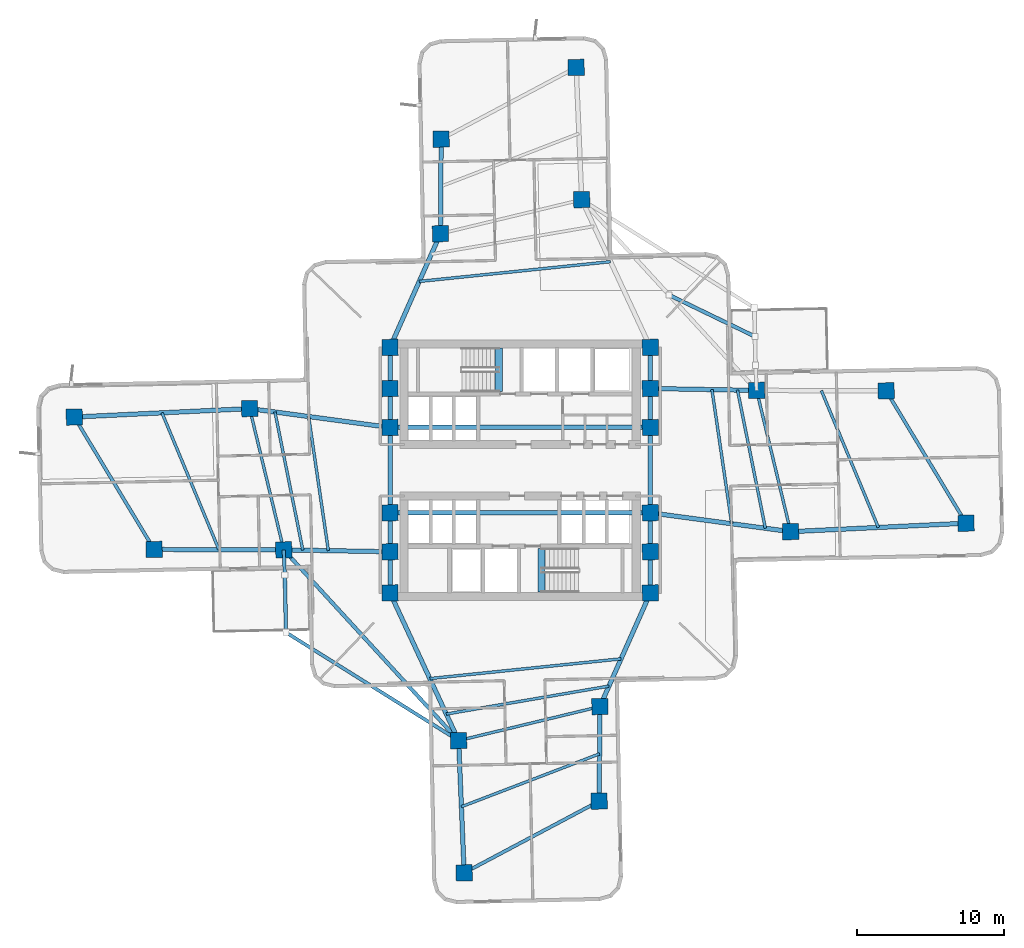
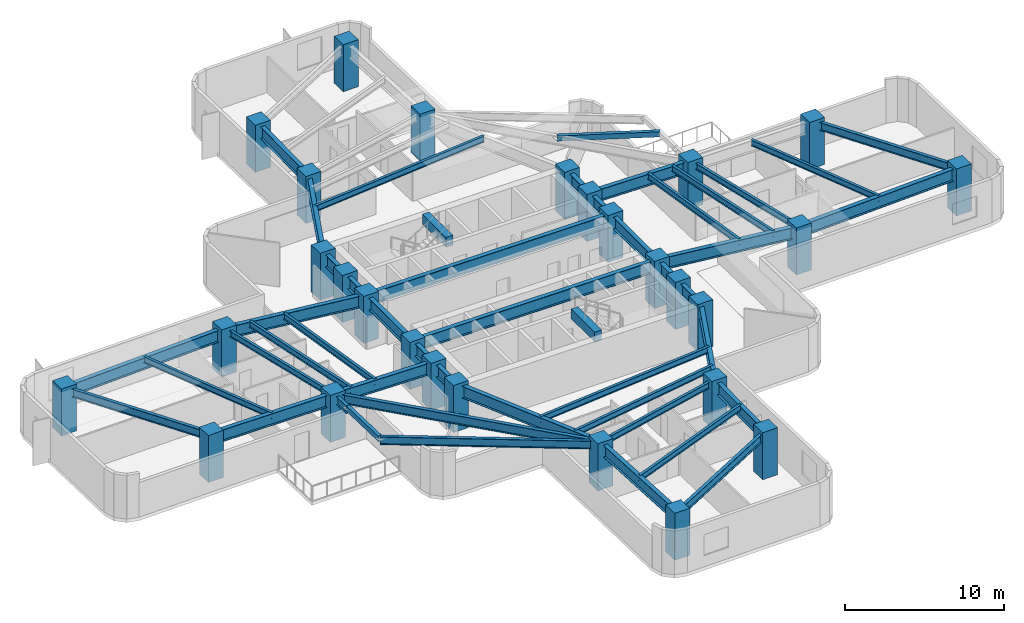
# One storey, part 1 of 10: 48 beams, 28 columns.
"""IFC4 building model written with IfcOpenShell, lengths in metres."""

from ifc_helpers import new_model, si_unit, direction, frame, origin, origin_2d, place, context, subcontext, project, spatial, rectangle, hollow_rectangle, i_section, extrude, material, material_profile, profile_set, type_object, element, save


model = new_model("IFC4")

# Units and contexts
model_context = context("Model", 3, precision=1e-05, world=origin(), true_north=direction((0.0, 1.0)))
body_context = subcontext(model_context, "Body", "Model", "MODEL_VIEW")
ifc_project = project(units=[si_unit("LENGTHUNIT", "METRE"), si_unit("AREAUNIT", "SQUARE_METRE"), si_unit("VOLUMEUNIT", "CUBIC_METRE"), si_unit("PLANEANGLEUNIT", "RADIAN"), si_unit("MASSUNIT", "GRAM", prefix="KILO")], contexts=[model_context])

# Site, building, storey
site_placement = place(None, origin())
site = spatial("IfcSite", under=ifc_project, at=site_placement, CompositionType="ELEMENT")
building_placement = place(site_placement, origin())
building = spatial("IfcBuilding", under=site, at=building_placement, Name="Solmarez Civic Tower", CompositionType="ELEMENT")
storey_placement = place(building_placement, frame((0.0, 0.0, 35.280029296875)))
storey = spatial("IfcBuildingStorey", under=building, at=storey_placement, Name="L08", CompositionType="ELEMENT", Elevation=35.280029296875)

# Columns
ifc_material_1 = material(Name="Concrete C60/75", Category="concrete")
ifc_material_profile_1 = material_profile(ifc_material_1, rectangle(XDim=1.10009765625, YDim=1.10009765625, at=origin_2d()), Name="RC1100X1100")
ifc_profile_set_1 = profile_set([ifc_material_profile_1], Name="Concrete C60/75")
column_type = type_object("IfcColumnType", Name="COL-RC1100", PredefinedType="COLUMN", material=ifc_profile_set_1)
for number, where, z_axis, x_axis, name in (
    (1, (-8.85009765625, -5.550048828125, 0.0), (0.0, 0.0, 1.0), (0.999780683475, 0.020942419883, 0.0), "L08 Structural Column HC1"),
    (2, (-8.85009765625, -2.89990234375, 0.0), (0.0, 0.0, 1.0), (0.999780683475, 0.020942419883, 0.0), "L08 Structural Column HC2"),
    (3, (-8.85009765625, 2.89990234375, 0.0), (0.0, 0.0, 1.0), (0.999780683475, 0.020942419883, 0.0), "L08 Structural Column HC3"),
    (4, (-8.85009765625, 5.550048828125, 0.0), (0.0, 0.0, 1.0), (0.999780683475, 0.020942419883, 0.0), "L08 Structural Column HC4"),
    (5, (8.85009765625, -5.550048828125, 0.0), (0.0, 0.0, 1.0), (0.999780683475, 0.020942419883, 0.0), "L08 Structural Column HC5"),
    (6, (8.85009765625, -2.89990234375, 0.0), (0.0, 0.0, 1.0), (0.999780683475, 0.020942419883, 0.0), "L08 Structural Column HC6"),
    (7, (8.85009765625, 2.89990234375, 0.0), (0.0, 0.0, 1.0), (0.999780683475, 0.020942419883, 0.0), "L08 Structural Column HC7"),
    (8, (8.85009765625, 5.550048828125, 0.0), (0.0, 0.0, 1.0), (0.999780683475, 0.020942419883, 0.0), "L08 Structural Column HC8"),
    (9, (-8.85009765625, 8.35009765625, 0.0), (0.0, 0.0, 1.0), (0.999780683475, 0.020942419883, 0.0), "L08 Structural Column HC9"),
    (10, (8.85009765625, -8.35009765625, 0.0), (0.0, 0.0, 1.0), (0.999780683475, 0.020942419883, 0.0), "L08 Structural Column HC10"),
    (11, (8.85009765625, 8.35009765625, 0.0), (0.0, 0.0, 1.0), (0.999780683475, 0.020942419883, 0.0), "L08 Structural Column HC11"),
    (12, (-8.85009765625, -8.35009765625, 0.0), (0.0, 0.0, 1.0), (0.999780683475, 0.020942419883, 0.0), "L08 Structural Column HC12"),
    (13, (18.39111328125, -4.18408203125, 0.0), (0.0, 0.0, 1.0), (0.999780683475, 0.020942419883, 0.0), "L08 Structural Column EA11"),
    (14, (16.075927734375, 5.4208984375, 0.0), (0.0, 0.0, 1.0), (0.999780683475, 0.020942419883, 0.0), "L08 Structural Column EA12"),
    (15, (30.318115234375, -3.60888671875, 0.0), (0.0, 0.0, 1.0), (0.999780683475, 0.020942419883, 0.0), "L08 Structural Column EA21"),
    (16, (24.887939453125, 5.39306640625, 0.0), (0.0, 0.0, 1.0), (0.999780683475, 0.020942419883, 0.0), "L08 Structural Column EA22"),
    (17, (4.18408203125, 18.39111328125, 0.0), (0.0, 0.0, 1.0), (0.999780683475, 0.020942419883, 0.0), "L08 Structural Column NA11"),
    (18, (-5.4208984375, 16.075927734375, 0.0), (0.0, 0.0, 1.0), (0.999780683475, 0.020942419883, 0.0), "L08 Structural Column NA12"),
    (19, (3.806884765625, 27.383056640625, 0.0), (0.0, 0.0, 1.0), (0.999780683475, 0.020942419883, 0.0), "L08 Structural Column NA21"),
    (20, (-5.3720703125, 22.507080078125, 0.0), (0.0, 0.0, 1.0), (0.999780683475, 0.020942419883, 0.0), "L08 Structural Column NA22"),
    (21, (-18.39111328125, 4.18408203125, 0.0), (0.0, 0.0, 1.0), (0.999780683475, 0.020942419883, 0.0), "L08 Structural Column WA11"),
    (22, (-16.075927734375, -5.4208984375, 0.0), (0.0, 0.0, 1.0), (0.999780683475, 0.020942419883, 0.0), "L08 Structural Column WA12"),
    (23, (-30.318115234375, 3.60888671875, 0.0), (0.0, 0.0, 1.0), (0.999780683475, 0.020942419883, 0.0), "L08 Structural Column WA21"),
    (24, (-24.887939453125, -5.39306640625, 0.0), (0.0, 0.0, 1.0), (0.999780683475, 0.020942419883, 0.0), "L08 Structural Column WA22"),
    (25, (-4.18408203125, -18.39111328125, 0.0), (0.0, 0.0, 1.0), (0.999780683475, 0.020942419883, 0.0), "L08 Structural Column SA11"),
    (26, (5.4208984375, -16.075927734375, 0.0), (0.0, 0.0, 1.0), (0.999780683475, 0.020942419883, 0.0), "L08 Structural Column SA12"),
    (27, (-3.806884765625, -27.383056640625, 0.0), (0.0, 0.0, 1.0), (0.999780683475, 0.020942419883, 0.0), "L08 Structural Column SA21"),
    (28, (5.3720703125, -22.507080078125, 0.0), (0.0, 0.0, 1.0), (0.999780683475, 0.020942419883, 0.0), "L08 Structural Column SA22"),
):
    element("IfcColumn", number, at=place(storey_placement, frame(where, z_axis=z_axis, x_axis=x_axis)), inside=storey, type_object=column_type, Name=name, PredefinedType="COLUMN", context=body_context, shape_type="SweptSolid", body=[
        extrude(rectangle(XDim=1.10009765625, YDim=1.10009765625, at=origin_2d()), origin(), (0.0, 0.0, 1.0), 3.599853515625),
    ])

# Beams
ifc_material_2 = material(Name="Steel S355", Category="steel")
ifc_material_profile_2 = material_profile(ifc_material_2, i_section(OverallWidth=0.19189453125, OverallDepth=0.462890625, WebThickness=0.010498046875, FlangeThickness=0.017578125, at=origin_2d()), Name="W18X60")
ifc_profile_set_2 = profile_set([ifc_material_profile_2], Name="Steel S355")
beam_type_1 = type_object("IfcBeamType", Name="BM-JS-W18X60", PredefinedType="JOIST", material=ifc_profile_set_2)
beam_1_placement = place(storey_placement, frame((18.39111328125, -4.18408203125, 3.10888671875), z_axis=(-0.234328919867, 0.97215737271, 0.0), x_axis=(-0.97215737271, -0.234328919867, 0.0)))
element("IfcBeam", 29, at=beam_1_placement, inside=storey, type_object=beam_type_1, Name="L08 Secondary Floor Joist BM-L08-EA-T1", PredefinedType="JOIST", context=body_context, shape_type="SweptSolid", body=[
    extrude(i_section(OverallWidth=0.19189453125, OverallDepth=0.462890625, WebThickness=0.010498046875, FlangeThickness=0.017578125, at=origin_2d()), origin(), (0.0, 0.0, 1.0), 9.880126953125),
])
beam_2_placement = place(storey_placement, frame((24.35498046875, -3.89697265625, 3.10888671875), z_axis=(-0.384310898391, 0.923203733408, 0.0), x_axis=(-0.923203733408, -0.384310898391, 0.0)))
element("IfcBeam", 30, at=beam_2_placement, inside=storey, type_object=beam_type_1, Name="L08 Secondary Floor Joist JS-L08-EA-M2", PredefinedType="JOIST", context=body_context, shape_type="SweptSolid", body=[
    extrude(i_section(OverallWidth=0.19189453125, OverallDepth=0.462890625, WebThickness=0.010498046875, FlangeThickness=0.017578125, at=origin_2d()), origin(), (0.0, 0.0, 1.0), 10.077880859375),
])
beam_3_placement = place(storey_placement, frame((14.384033203125, -3.64501953125, 3.10888671875), z_axis=(-0.145687649447, 0.989330636743, 0.0), x_axis=(-0.989330636743, -0.145687649447, 0.0)))
element("IfcBeam", 31, at=beam_3_placement, inside=storey, type_object=beam_type_1, Name="L08 Secondary Floor Joist JS-L08-EA-M11", PredefinedType="JOIST", context=body_context, shape_type="SweptSolid", body=[
    extrude(i_section(OverallWidth=0.19189453125, OverallDepth=0.462890625, WebThickness=0.010498046875, FlangeThickness=0.017578125, at=origin_2d()), origin(), (0.0, 0.0, 1.0), 9.218505859375),
])
beam_4_placement = place(storey_placement, frame((16.674072265625, -3.952880859375, 3.10888671875), z_axis=(-0.198099134772, 0.980181989634, 0.0), x_axis=(-0.980181989634, -0.198099134772, 0.0)))
element("IfcBeam", 32, at=beam_4_placement, inside=storey, type_object=beam_type_1, Name="L08 Secondary Floor Joist JS-L08-EA-M12", PredefinedType="JOIST", context=body_context, shape_type="SweptSolid", body=[
    extrude(i_section(OverallWidth=0.19189453125, OverallDepth=0.462890625, WebThickness=0.010498046875, FlangeThickness=0.017578125, at=origin_2d()), origin(), (0.0, 0.0, 1.0), 9.5869140625),
])
beam_5_placement = place(storey_placement, frame((6.14404296875, 14.174072265625, 3.10888671875), z_axis=(-0.9947100999, -0.102722038325, 0.0), x_axis=(0.102722038325, -0.9947100999, 0.0)))
element("IfcBeam", 33, at=beam_5_placement, inside=storey, type_object=beam_type_1, Name="L08 Secondary Floor Joist JS-L08-NA-M11", PredefinedType="JOIST", context=body_context, shape_type="SweptSolid", body=[
    extrude(i_section(OverallWidth=0.19189453125, OverallDepth=0.462890625, WebThickness=0.010498046875, FlangeThickness=0.017578125, at=origin_2d()), origin(), (0.0, 0.0, 1.0), 13.07421875),
])
beam_6_placement = place(storey_placement, frame((-18.39111328125, 4.18408203125, 3.10888671875), z_axis=(0.234328919867, -0.97215737271, 0.0), x_axis=(0.97215737271, 0.234328919867, 0.0)))
element("IfcBeam", 34, at=beam_6_placement, inside=storey, type_object=beam_type_1, Name="L08 Secondary Floor Joist BM-L08-WA-T1", PredefinedType="JOIST", context=body_context, shape_type="SweptSolid", body=[
    extrude(i_section(OverallWidth=0.19189453125, OverallDepth=0.462890625, WebThickness=0.010498046875, FlangeThickness=0.017578125, at=origin_2d()), origin(), (0.0, 0.0, 1.0), 9.880126953125),
])
beam_7_placement = place(storey_placement, frame((-24.35498046875, 3.89697265625, 3.10888671875), z_axis=(0.384310898391, -0.923203733408, 0.0), x_axis=(0.923203733408, 0.384310898391, 0.0)))
element("IfcBeam", 35, at=beam_7_placement, inside=storey, type_object=beam_type_1, Name="L08 Secondary Floor Joist JS-L08-WA-M2", PredefinedType="JOIST", context=body_context, shape_type="SweptSolid", body=[
    extrude(i_section(OverallWidth=0.19189453125, OverallDepth=0.462890625, WebThickness=0.010498046875, FlangeThickness=0.017578125, at=origin_2d()), origin(), (0.0, 0.0, 1.0), 10.077880859375),
])
beam_8_placement = place(storey_placement, frame((-14.384033203125, 3.64501953125, 3.10888671875), z_axis=(0.145687649447, -0.989330636743, 0.0), x_axis=(0.989330636743, 0.145687649447, 0.0)))
element("IfcBeam", 36, at=beam_8_placement, inside=storey, type_object=beam_type_1, Name="L08 Secondary Floor Joist JS-L08-WA-M11", PredefinedType="JOIST", context=body_context, shape_type="SweptSolid", body=[
    extrude(i_section(OverallWidth=0.19189453125, OverallDepth=0.462890625, WebThickness=0.010498046875, FlangeThickness=0.017578125, at=origin_2d()), origin(), (0.0, 0.0, 1.0), 9.218505859375),
])
beam_9_placement = place(storey_placement, frame((-16.674072265625, 3.952880859375, 3.10888671875), z_axis=(0.198099134772, -0.980181989634, 0.0), x_axis=(0.980181989634, 0.198099134772, 0.0)))
element("IfcBeam", 37, at=beam_9_placement, inside=storey, type_object=beam_type_1, Name="L08 Secondary Floor Joist JS-L08-WA-M12", PredefinedType="JOIST", context=body_context, shape_type="SweptSolid", body=[
    extrude(i_section(OverallWidth=0.19189453125, OverallDepth=0.462890625, WebThickness=0.010498046875, FlangeThickness=0.017578125, at=origin_2d()), origin(), (0.0, 0.0, 1.0), 9.5869140625),
])
beam_10_placement = place(storey_placement, frame((-4.18408203125, -18.39111328125, 3.10888671875), z_axis=(0.97215737271, 0.234328919867, 0.0), x_axis=(-0.234328919867, 0.97215737271, 0.0)))
element("IfcBeam", 38, at=beam_10_placement, inside=storey, type_object=beam_type_1, Name="L08 Secondary Floor Joist BM-L08-SA-T1", PredefinedType="JOIST", context=body_context, shape_type="SweptSolid", body=[
    extrude(i_section(OverallWidth=0.19189453125, OverallDepth=0.462890625, WebThickness=0.010498046875, FlangeThickness=0.017578125, at=origin_2d()), origin(), (0.0, 0.0, 1.0), 9.880126953125),
])
beam_11_placement = place(storey_placement, frame((-3.9951171875, -22.886962890625, 3.10888671875), z_axis=(0.933878315551, 0.357590955903, 0.0), x_axis=(-0.357590955903, 0.933878315551, 0.0)))
element("IfcBeam", 39, at=beam_11_placement, inside=storey, type_object=beam_type_1, Name="L08 Secondary Floor Joist JS-L08-SA-M2", PredefinedType="JOIST", context=body_context, shape_type="SweptSolid", body=[
    extrude(i_section(OverallWidth=0.19189453125, OverallDepth=0.462890625, WebThickness=0.010498046875, FlangeThickness=0.017578125, at=origin_2d()), origin(), (0.0, 0.0, 1.0), 10.05615234375),
])
beam_12_placement = place(storey_placement, frame((-6.14404296875, -14.174072265625, 3.10888671875), z_axis=(0.9947100999, 0.102722038325, 0.0), x_axis=(-0.102722038325, 0.9947100999, 0.0)))
element("IfcBeam", 40, at=beam_12_placement, inside=storey, type_object=beam_type_1, Name="L08 Secondary Floor Joist JS-L08-SA-M11", PredefinedType="JOIST", context=body_context, shape_type="SweptSolid", body=[
    extrude(i_section(OverallWidth=0.19189453125, OverallDepth=0.462890625, WebThickness=0.010498046875, FlangeThickness=0.017578125, at=origin_2d()), origin(), (0.0, 0.0, 1.0), 13.07421875),
])
beam_13_placement = place(storey_placement, frame((-5.02392578125, -16.583984375, 3.10888671875), z_axis=(0.985583934907, 0.169187195889, 0.0), x_axis=(-0.169187195889, 0.985583934907, 0.0)))
element("IfcBeam", 41, at=beam_13_placement, inside=storey, type_object=beam_type_1, Name="L08 Secondary Floor Joist JS-L08-SA-M12", PredefinedType="JOIST", context=body_context, shape_type="SweptSolid", body=[
    extrude(i_section(OverallWidth=0.19189453125, OverallDepth=0.462890625, WebThickness=0.010498046875, FlangeThickness=0.017578125, at=origin_2d()), origin(), (0.0, 0.0, 1.0), 11.223876953125),
])
ifc_material_3 = material(Name="Concrete C50/60", Category="concrete")
ifc_material_profile_3 = material_profile(ifc_material_3, rectangle(XDim=0.5, YDim=0.75, at=origin_2d()), Name="RC500X750")
ifc_profile_set_3 = profile_set([ifc_material_profile_3], Name="Concrete C50/60")
beam_type_2 = type_object("IfcBeamType", Name="BM-PR-RC500X750", PredefinedType="BEAM", material=ifc_profile_set_3)
for number, where, z_axis, x_axis, name in (
    (42, (-1.449951171875, 5.340087890625, 3.23291015625), (0.0, 1.0, 0.0), (-1.0, 0.0, 0.0), "L08 North Stair Threshold Beam"),
    (43, (1.449951171875, -8.300048828125, 3.23291015625), (0.0, 1.0, 0.0), (-1.0, 0.0, 0.0), "L08 South Stair Threshold Beam"),
):
    element("IfcBeam", number, at=place(storey_placement, frame(where, z_axis=z_axis, x_axis=x_axis)), inside=storey, type_object=beam_type_2, Name=name, PredefinedType="BEAM", context=body_context, shape_type="SweptSolid", body=[
        extrude(rectangle(XDim=0.5, YDim=0.75, at=origin_2d()), origin(), (0.0, 0.0, 1.0), 2.9599609375),
    ])
ifc_material_profile_4 = material_profile(ifc_material_2, i_section(OverallWidth=0.25390625, OverallDepth=0.68798828125, WebThickness=0.01318359375, FlangeThickness=0.02099609375, at=origin_2d()), Name="W27X102")
ifc_profile_set_4 = profile_set([ifc_material_profile_4], Name="Steel S355")
beam_type_3 = type_object("IfcBeamType", Name="BM-PR-W27X102", PredefinedType="BEAM", material=ifc_profile_set_4)
beam_14_placement = place(storey_placement, frame((-16.075927734375, -5.4208984375, 2.995849609375), z_axis=(0.6758012736, -0.737083874875, 0.0), x_axis=(0.737083874875, 0.6758012736, 0.0)))
element("IfcBeam", 44, at=beam_14_placement, inside=storey, type_object=beam_type_3, Name="L08 Primary Floor Beam BM-L08-BALC-SWC", PredefinedType="BEAM", context=body_context, shape_type="SweptSolid", body=[
    extrude(i_section(OverallWidth=0.25390625, OverallDepth=0.68798828125, WebThickness=0.01318359375, FlangeThickness=0.02099609375, at=origin_2d()), origin(), (0.0, 0.0, 1.0), 17.5966796875),
])
ifc_material_profile_5 = material_profile(ifc_material_2, i_section(OverallWidth=0.303955078125, OverallDepth=0.910888671875, WebThickness=0.015869140625, FlangeThickness=0.02392578125, at=origin_2d()), Name="W36X150")
ifc_profile_set_5 = profile_set([ifc_material_profile_5], Name="Steel S355")
beam_type_4 = type_object("IfcBeamType", Name="BM-PR-W36X150", PredefinedType="BEAM", material=ifc_profile_set_5)
beam_15_placement = place(storey_placement, frame((8.85009765625, -2.89990234375, 2.884033203125), z_axis=(0.991063240718, -0.133392851745, 0.0), x_axis=(0.133392851745, 0.991063240718, 0.0)))
element("IfcBeam", 45, at=beam_15_placement, inside=storey, type_object=beam_type_4, Name="L08 Primary Floor Beam BM-L08-EA-R1A", PredefinedType="BEAM", context=body_context, shape_type="SweptSolid", body=[
    extrude(i_section(OverallWidth=0.303955078125, OverallDepth=0.910888671875, WebThickness=0.015869140625, FlangeThickness=0.02392578125, at=origin_2d()), origin(), (0.0, 0.0, 1.0), 9.626953125),
])
beam_16_placement = place(storey_placement, frame((8.85009765625, 5.550048828125, 2.884033203125), z_axis=(0.999840308455, -0.017870578882, 0.0), x_axis=(0.017870578882, 0.999840308455, 0.0)))
element("IfcBeam", 46, at=beam_16_placement, inside=storey, type_object=beam_type_4, Name="L08 Primary Floor Beam BM-L08-EA-R1B", PredefinedType="BEAM", context=body_context, shape_type="SweptSolid", body=[
    extrude(i_section(OverallWidth=0.303955078125, OverallDepth=0.910888671875, WebThickness=0.015869140625, FlangeThickness=0.02392578125, at=origin_2d()), origin(), (0.0, 0.0, 1.0), 7.22705078125),
])
beam_17_placement = place(storey_placement, frame((18.39111328125, -4.18408203125, 2.884033203125), z_axis=(0.998839135977, 0.048170327398, 0.0), x_axis=(-0.048170327398, 0.998839135977, 0.0)))
element("IfcBeam", 47, at=beam_17_placement, inside=storey, type_object=beam_type_4, Name="L08 Primary Floor Beam BM-L08-EA-R2A", PredefinedType="BEAM", context=body_context, shape_type="SweptSolid", body=[
    extrude(i_section(OverallWidth=0.303955078125, OverallDepth=0.910888671875, WebThickness=0.015869140625, FlangeThickness=0.02392578125, at=origin_2d()), origin(), (0.0, 0.0, 1.0), 11.94091796875),
])
beam_18_placement = place(storey_placement, frame((-8.85009765625, 8.35009765625, 2.884033203125), z_axis=(0.405693556952, 0.914009156326, 0.0), x_axis=(-0.914009156326, 0.405693556952, 0.0)))
element("IfcBeam", 48, at=beam_18_placement, inside=storey, type_object=beam_type_4, Name="L08 Primary Floor Beam BM-L08-NA-R1B", PredefinedType="BEAM", context=body_context, shape_type="SweptSolid", body=[
    extrude(i_section(OverallWidth=0.303955078125, OverallDepth=0.910888671875, WebThickness=0.015869140625, FlangeThickness=0.02392578125, at=origin_2d()), origin(), (0.0, 0.0, 1.0), 8.45263671875),
])
beam_19_placement = place(storey_placement, frame((-5.4208984375, 16.075927734375, 2.884033203125), z_axis=(0.007592219108, 0.999971178689, 0.0), x_axis=(-0.999971178689, 0.007592219108, 0.0)))
element("IfcBeam", 49, at=beam_19_placement, inside=storey, type_object=beam_type_4, Name="L08 Primary Floor Beam BM-L08-NA-R2B", PredefinedType="BEAM", context=body_context, shape_type="SweptSolid", body=[
    extrude(i_section(OverallWidth=0.303955078125, OverallDepth=0.910888671875, WebThickness=0.015869140625, FlangeThickness=0.02392578125, at=origin_2d()), origin(), (0.0, 0.0, 1.0), 6.431396484375),
])
beam_20_placement = place(storey_placement, frame((-8.85009765625, 2.89990234375, 2.884033203125), z_axis=(-0.991063240718, 0.133392851745, 0.0), x_axis=(-0.133392851745, -0.991063240718, 0.0)))
element("IfcBeam", 50, at=beam_20_placement, inside=storey, type_object=beam_type_4, Name="L08 Primary Floor Beam BM-L08-WA-R1A", PredefinedType="BEAM", context=body_context, shape_type="SweptSolid", body=[
    extrude(i_section(OverallWidth=0.303955078125, OverallDepth=0.910888671875, WebThickness=0.015869140625, FlangeThickness=0.02392578125, at=origin_2d()), origin(), (0.0, 0.0, 1.0), 9.626953125),
])
beam_21_placement = place(storey_placement, frame((-8.85009765625, -5.550048828125, 2.884033203125), z_axis=(-0.999840308455, 0.017870578882, 0.0), x_axis=(-0.017870578882, -0.999840308455, 0.0)))
element("IfcBeam", 51, at=beam_21_placement, inside=storey, type_object=beam_type_4, Name="L08 Primary Floor Beam BM-L08-WA-R1B", PredefinedType="BEAM", context=body_context, shape_type="SweptSolid", body=[
    extrude(i_section(OverallWidth=0.303955078125, OverallDepth=0.910888671875, WebThickness=0.015869140625, FlangeThickness=0.02392578125, at=origin_2d()), origin(), (0.0, 0.0, 1.0), 7.22705078125),
])
beam_22_placement = place(storey_placement, frame((-18.39111328125, 4.18408203125, 2.884033203125), z_axis=(-0.998839135977, -0.048170327398, 0.0), x_axis=(0.048170327398, -0.998839135977, 0.0)))
element("IfcBeam", 52, at=beam_22_placement, inside=storey, type_object=beam_type_4, Name="L08 Primary Floor Beam BM-L08-WA-R2A", PredefinedType="BEAM", context=body_context, shape_type="SweptSolid", body=[
    extrude(i_section(OverallWidth=0.303955078125, OverallDepth=0.910888671875, WebThickness=0.015869140625, FlangeThickness=0.02392578125, at=origin_2d()), origin(), (0.0, 0.0, 1.0), 11.94091796875),
])
beam_23_placement = place(storey_placement, frame((-16.075927734375, -5.4208984375, 2.884033203125), z_axis=(-0.99999501223, 0.003158403928, 0.0), x_axis=(-0.003158403928, -0.99999501223, 0.0)))
element("IfcBeam", 53, at=beam_23_placement, inside=storey, type_object=beam_type_4, Name="L08 Primary Floor Beam BM-L08-WA-R2B", PredefinedType="BEAM", context=body_context, shape_type="SweptSolid", body=[
    extrude(i_section(OverallWidth=0.303955078125, OverallDepth=0.910888671875, WebThickness=0.015869140625, FlangeThickness=0.02392578125, at=origin_2d()), origin(), (0.0, 0.0, 1.0), 8.81201171875),
])
beam_24_placement = place(storey_placement, frame((-8.85009765625, -8.35009765625, 2.884033203125), z_axis=(0.421417065364, -0.906866945599, 0.0), x_axis=(0.906866945599, 0.421417065364, 0.0)))
element("IfcBeam", 54, at=beam_24_placement, inside=storey, type_object=beam_type_4, Name="L08 Primary Floor Beam BM-L08-SA-R1A", PredefinedType="BEAM", context=body_context, shape_type="SweptSolid", body=[
    extrude(i_section(OverallWidth=0.303955078125, OverallDepth=0.910888671875, WebThickness=0.015869140625, FlangeThickness=0.02392578125, at=origin_2d()), origin(), (0.0, 0.0, 1.0), 11.072265625),
])
beam_25_placement = place(storey_placement, frame((8.85009765625, -8.35009765625, 2.884033203125), z_axis=(-0.405693556952, -0.914009156326, 0.0), x_axis=(0.914009156326, -0.405693556952, 0.0)))
element("IfcBeam", 55, at=beam_25_placement, inside=storey, type_object=beam_type_4, Name="L08 Primary Floor Beam BM-L08-SA-R1B", PredefinedType="BEAM", context=body_context, shape_type="SweptSolid", body=[
    extrude(i_section(OverallWidth=0.303955078125, OverallDepth=0.910888671875, WebThickness=0.015869140625, FlangeThickness=0.02392578125, at=origin_2d()), origin(), (0.0, 0.0, 1.0), 8.45263671875),
])
beam_26_placement = place(storey_placement, frame((-4.18408203125, -18.39111328125, 2.884033203125), z_axis=(0.041911499832, -0.999121327058, 0.0), x_axis=(0.999121327058, 0.041911499832, 0.0)))
element("IfcBeam", 56, at=beam_26_placement, inside=storey, type_object=beam_type_4, Name="L08 Primary Floor Beam BM-L08-SA-R2A", PredefinedType="BEAM", context=body_context, shape_type="SweptSolid", body=[
    extrude(i_section(OverallWidth=0.303955078125, OverallDepth=0.910888671875, WebThickness=0.015869140625, FlangeThickness=0.02392578125, at=origin_2d()), origin(), (0.0, 0.0, 1.0), 8.999755859375),
])
beam_27_placement = place(storey_placement, frame((5.4208984375, -16.075927734375, 2.884033203125), z_axis=(-0.007592219108, -0.999971178689, 0.0), x_axis=(0.999971178689, -0.007592219108, 0.0)))
element("IfcBeam", 57, at=beam_27_placement, inside=storey, type_object=beam_type_4, Name="L08 Primary Floor Beam BM-L08-SA-R2B", PredefinedType="BEAM", context=body_context, shape_type="SweptSolid", body=[
    extrude(i_section(OverallWidth=0.303955078125, OverallDepth=0.910888671875, WebThickness=0.015869140625, FlangeThickness=0.02392578125, at=origin_2d()), origin(), (0.0, 0.0, 1.0), 6.431396484375),
])
ifc_material_profile_6 = material_profile(ifc_material_2, i_section(OverallWidth=0.306884765625, OverallDepth=0.927001953125, WebThickness=0.019287109375, FlangeThickness=0.031982421875, at=origin_2d()), Name="W36X194")
ifc_profile_set_6 = profile_set([ifc_material_profile_6], Name="Steel S355")
beam_type_5 = type_object("IfcBeamType", Name="BM-PR-W36X194", PredefinedType="BEAM", material=ifc_profile_set_6)
beam_28_placement = place(storey_placement, frame((-8.85009765625, -8.35009765625, 2.8759765625), z_axis=(0.0, 1.0, 0.0), x_axis=(-1.0, 0.0, 0.0)))
element("IfcBeam", 58, at=beam_28_placement, inside=storey, type_object=beam_type_5, Name="L08 Primary Floor Beam BM-L08-HC12-HC1", PredefinedType="BEAM", context=body_context, shape_type="SweptSolid", body=[
    extrude(i_section(OverallWidth=0.306884765625, OverallDepth=0.927001953125, WebThickness=0.019287109375, FlangeThickness=0.031982421875, at=origin_2d()), origin(), (0.0, 0.0, 1.0), 2.800048828125),
])
beam_29_placement = place(storey_placement, frame((-8.85009765625, -5.550048828125, 2.8759765625), z_axis=(0.0, 1.0, 0.0), x_axis=(-1.0, 0.0, 0.0)))
element("IfcBeam", 59, at=beam_29_placement, inside=storey, type_object=beam_type_5, Name="L08 Primary Floor Beam BM-L08-HC1-HC2", PredefinedType="BEAM", context=body_context, shape_type="SweptSolid", body=[
    extrude(i_section(OverallWidth=0.306884765625, OverallDepth=0.927001953125, WebThickness=0.019287109375, FlangeThickness=0.031982421875, at=origin_2d()), origin(), (0.0, 0.0, 1.0), 2.650146484375),
])
beam_30_placement = place(storey_placement, frame((-8.85009765625, -2.89990234375, 2.8759765625), z_axis=(0.0, 1.0, 0.0), x_axis=(-1.0, 0.0, 0.0)))
element("IfcBeam", 60, at=beam_30_placement, inside=storey, type_object=beam_type_5, Name="L08 Primary Floor Beam BM-L08-HC2-HC3", PredefinedType="BEAM", context=body_context, shape_type="SweptSolid", body=[
    extrude(i_section(OverallWidth=0.306884765625, OverallDepth=0.927001953125, WebThickness=0.019287109375, FlangeThickness=0.031982421875, at=origin_2d()), origin(), (0.0, 0.0, 1.0), 5.7998046875),
])
beam_31_placement = place(storey_placement, frame((-8.85009765625, 2.89990234375, 2.8759765625), z_axis=(0.0, 1.0, 0.0), x_axis=(-1.0, 0.0, 0.0)))
element("IfcBeam", 61, at=beam_31_placement, inside=storey, type_object=beam_type_5, Name="L08 Primary Floor Beam BM-L08-HC3-HC4", PredefinedType="BEAM", context=body_context, shape_type="SweptSolid", body=[
    extrude(i_section(OverallWidth=0.306884765625, OverallDepth=0.927001953125, WebThickness=0.019287109375, FlangeThickness=0.031982421875, at=origin_2d()), origin(), (0.0, 0.0, 1.0), 2.650146484375),
])
for number, where, z_axis, x_axis, name in (
    (62, (-8.85009765625, 5.550048828125, 2.8759765625), (0.0, 1.0, 0.0), (-1.0, 0.0, 0.0), "L08 Primary Floor Beam BM-L08-HC4-HC9"),
    (63, (8.85009765625, -8.35009765625, 2.8759765625), (0.0, 1.0, 0.0), (-1.0, 0.0, 0.0), "L08 Primary Floor Beam BM-L08-HC10-HC5"),
):
    element("IfcBeam", number, at=place(storey_placement, frame(where, z_axis=z_axis, x_axis=x_axis)), inside=storey, type_object=beam_type_5, Name=name, PredefinedType="BEAM", context=body_context, shape_type="SweptSolid", body=[
        extrude(i_section(OverallWidth=0.306884765625, OverallDepth=0.927001953125, WebThickness=0.019287109375, FlangeThickness=0.031982421875, at=origin_2d()), origin(), (0.0, 0.0, 1.0), 2.800048828125),
    ])
beam_32_placement = place(storey_placement, frame((8.85009765625, -5.550048828125, 2.8759765625), z_axis=(0.0, 1.0, 0.0), x_axis=(-1.0, 0.0, 0.0)))
element("IfcBeam", 64, at=beam_32_placement, inside=storey, type_object=beam_type_5, Name="L08 Primary Floor Beam BM-L08-HC5-HC6", PredefinedType="BEAM", context=body_context, shape_type="SweptSolid", body=[
    extrude(i_section(OverallWidth=0.306884765625, OverallDepth=0.927001953125, WebThickness=0.019287109375, FlangeThickness=0.031982421875, at=origin_2d()), origin(), (0.0, 0.0, 1.0), 2.650146484375),
])
beam_33_placement = place(storey_placement, frame((8.85009765625, -2.89990234375, 2.8759765625), z_axis=(0.0, 1.0, 0.0), x_axis=(-1.0, 0.0, 0.0)))
element("IfcBeam", 65, at=beam_33_placement, inside=storey, type_object=beam_type_5, Name="L08 Primary Floor Beam BM-L08-HC6-HC7", PredefinedType="BEAM", context=body_context, shape_type="SweptSolid", body=[
    extrude(i_section(OverallWidth=0.306884765625, OverallDepth=0.927001953125, WebThickness=0.019287109375, FlangeThickness=0.031982421875, at=origin_2d()), origin(), (0.0, 0.0, 1.0), 5.7998046875),
])
beam_34_placement = place(storey_placement, frame((8.85009765625, 2.89990234375, 2.8759765625), z_axis=(0.0, 1.0, 0.0), x_axis=(-1.0, 0.0, 0.0)))
element("IfcBeam", 66, at=beam_34_placement, inside=storey, type_object=beam_type_5, Name="L08 Primary Floor Beam BM-L08-HC7-HC8", PredefinedType="BEAM", context=body_context, shape_type="SweptSolid", body=[
    extrude(i_section(OverallWidth=0.306884765625, OverallDepth=0.927001953125, WebThickness=0.019287109375, FlangeThickness=0.031982421875, at=origin_2d()), origin(), (0.0, 0.0, 1.0), 2.650146484375),
])
beam_35_placement = place(storey_placement, frame((8.85009765625, 5.550048828125, 2.8759765625), z_axis=(0.0, 1.0, 0.0), x_axis=(-1.0, 0.0, 0.0)))
element("IfcBeam", 67, at=beam_35_placement, inside=storey, type_object=beam_type_5, Name="L08 Primary Floor Beam BM-L08-HC8-HC11", PredefinedType="BEAM", context=body_context, shape_type="SweptSolid", body=[
    extrude(i_section(OverallWidth=0.306884765625, OverallDepth=0.927001953125, WebThickness=0.019287109375, FlangeThickness=0.031982421875, at=origin_2d()), origin(), (0.0, 0.0, 1.0), 2.800048828125),
])
for number, where, z_axis, x_axis, name in (
    (68, (-8.85009765625, -2.89990234375, 2.8759765625), (1.0, 0.0, 0.0), (0.0, 1.0, 0.0), "L08 Primary Floor Beam BM-L08-HC2-HC6"),
    (69, (-8.85009765625, 2.89990234375, 2.8759765625), (1.0, 0.0, 0.0), (0.0, 1.0, 0.0), "L08 Primary Floor Beam BM-L08-HC3-HC7"),
):
    element("IfcBeam", number, at=place(storey_placement, frame(where, z_axis=z_axis, x_axis=x_axis)), inside=storey, type_object=beam_type_5, Name=name, PredefinedType="BEAM", context=body_context, shape_type="SweptSolid", body=[
        extrude(i_section(OverallWidth=0.306884765625, OverallDepth=0.927001953125, WebThickness=0.019287109375, FlangeThickness=0.031982421875, at=origin_2d()), origin(), (0.0, 0.0, 1.0), 17.7001953125),
    ])
ifc_material_profile_7 = material_profile(ifc_material_2, hollow_rectangle(XDim=0.25, YDim=0.39990234375, WallThickness=0.01611328125, at=origin_2d()), Name="HSS400X250X16")
ifc_profile_set_7 = profile_set([ifc_material_profile_7], Name="Steel S355")
beam_type_6 = type_object("IfcBeamType", Name="BM-SP-HSS400X250", PredefinedType="SPANDREL", material=ifc_profile_set_7)
beam_36_placement = place(storey_placement, frame((10.1298828125, 11.906005859375, 3.139892578125), z_axis=(0.900301702735, -0.435266405839, 0.0), x_axis=(0.435266405839, 0.900301702735, 0.0)))
element("IfcBeam", 70, at=beam_36_placement, inside=storey, type_object=beam_type_6, Name="L08 Perimeter Spandrel Beam BM-L08-BALC-NEM", PredefinedType="SPANDREL", context=body_context, shape_type="SweptSolid", body=[
    extrude(hollow_rectangle(XDim=0.25, YDim=0.39990234375, WallThickness=0.01611328125, at=origin_2d()), origin(), (0.0, 0.0, 1.0), 6.47900390625),
])
beam_37_placement = place(storey_placement, frame((-16.00390625, -7.136962890625, 3.139892578125), z_axis=(0.020972217891, -0.999780058851, 0.0), x_axis=(0.999780058851, 0.020972217891, 0.0)))
element("IfcBeam", 71, at=beam_37_placement, inside=storey, type_object=beam_type_6, Name="L08 Perimeter Spandrel Beam BM-L08-BALC-SWE", PredefinedType="SPANDREL", context=body_context, shape_type="SweptSolid", body=[
    extrude(hollow_rectangle(XDim=0.25, YDim=0.39990234375, WallThickness=0.01611328125, at=origin_2d()), origin(), (0.0, 0.0, 1.0), 3.89990234375),
])
ifc_material_profile_8 = material_profile(ifc_material_2, i_section(OverallWidth=0.22900390625, OverallDepth=0.612060546875, WebThickness=0.011962890625, FlangeThickness=0.01953125, at=origin_2d()), Name="W24X84")
ifc_profile_set_8 = profile_set([ifc_material_profile_8], Name="Steel S355")
beam_type_7 = type_object("IfcBeamType", Name="BM-SP-W24X84", PredefinedType="SPANDREL", material=ifc_profile_set_8)
for number, where, z_axis, x_axis, name in (
    (72, (30.318115234375, -3.60888671875, 3.033935546875), (-0.516522901024, 0.856273374991, 0.0), (-0.856273374991, -0.516522901024, 0.0), "L08 Perimeter Spandrel Beam BM-L08-EA-T2"),
    (73, (-30.318115234375, 3.60888671875, 3.033935546875), (0.516522901024, -0.856273374991, 0.0), (0.856273374991, 0.516522901024, 0.0), "L08 Perimeter Spandrel Beam BM-L08-WA-T2"),
):
    element("IfcBeam", number, at=place(storey_placement, frame(where, z_axis=z_axis, x_axis=x_axis)), inside=storey, type_object=beam_type_7, Name=name, PredefinedType="SPANDREL", context=body_context, shape_type="SweptSolid", body=[
        extrude(i_section(OverallWidth=0.22900390625, OverallDepth=0.612060546875, WebThickness=0.011962890625, FlangeThickness=0.01953125, at=origin_2d()), origin(), (0.0, 0.0, 1.0), 10.512939453125),
    ])
beam_38_placement = place(storey_placement, frame((-3.806884765625, -27.383056640625, 3.033935546875), z_axis=(0.883129404808, 0.469129464394, 0.0), x_axis=(-0.469129464394, 0.883129404808, 0.0)))
element("IfcBeam", 74, at=beam_38_placement, inside=storey, type_object=beam_type_7, Name="L08 Perimeter Spandrel Beam BM-L08-SA-T2", PredefinedType="SPANDREL", context=body_context, shape_type="SweptSolid", body=[
    extrude(i_section(OverallWidth=0.22900390625, OverallDepth=0.612060546875, WebThickness=0.011962890625, FlangeThickness=0.01953125, at=origin_2d()), origin(), (0.0, 0.0, 1.0), 10.3935546875),
])
beam_39_placement = place(storey_placement, frame((-16.075927734375, -5.4208984375, 3.033935546875), z_axis=(0.041932072391, -0.999120463861, 0.0), x_axis=(0.999120463861, 0.041932072391, 0.0)))
element("IfcBeam", 75, at=beam_39_placement, inside=storey, type_object=beam_type_7, Name="L08 Perimeter Spandrel Beam BM-L08-BALC-SW1", PredefinedType="SPANDREL", context=body_context, shape_type="SweptSolid", body=[
    extrude(i_section(OverallWidth=0.22900390625, OverallDepth=0.612060546875, WebThickness=0.011962890625, FlangeThickness=0.01953125, at=origin_2d()), origin(), (0.0, 0.0, 1.0), 1.717529296875),
])
beam_40_placement = place(storey_placement, frame((-4.18408203125, -18.39111328125, 3.033935546875), z_axis=(-0.847382845558, 0.530982403713, 0.0), x_axis=(-0.530982403713, -0.847382845558, 0.0)))
element("IfcBeam", 76, at=beam_40_placement, inside=storey, type_object=beam_type_7, Name="L08 Perimeter Spandrel Beam BM-L08-BALC-SW2", PredefinedType="SPANDREL", context=body_context, shape_type="SweptSolid", body=[
    extrude(i_section(OverallWidth=0.22900390625, OverallDepth=0.612060546875, WebThickness=0.011962890625, FlangeThickness=0.01953125, at=origin_2d()), origin(), (0.0, 0.0, 1.0), 13.85205078125),
])

save(model, "model.ifc")
